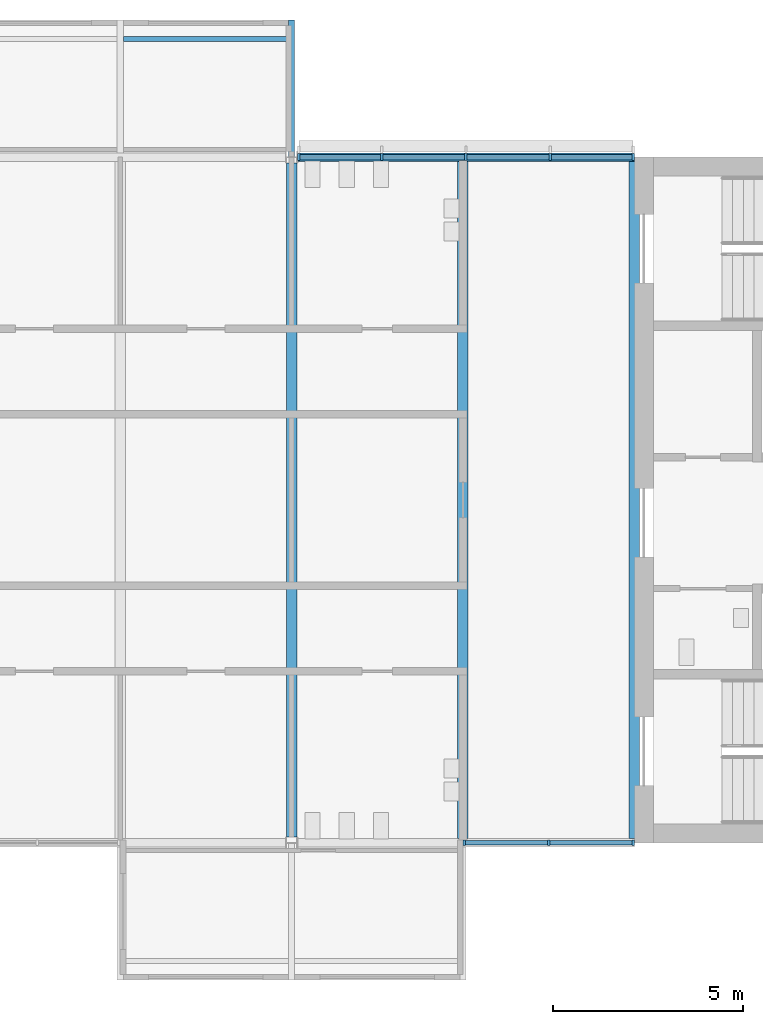
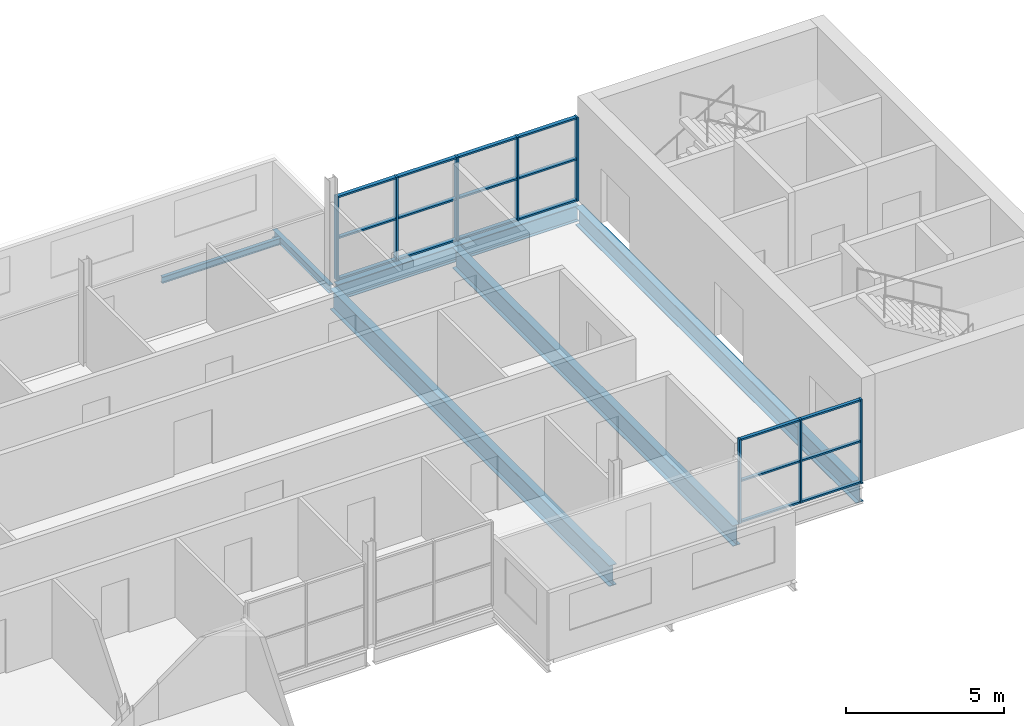
# One storey, part 3 of 10: 26 members, 6 beams, 2 elements without a shape of their own.
"""IFC4 building model written with IfcOpenShell, lengths in metres."""

from ifc_helpers import new_model, si_unit, direction, frame, origin, origin_2d, place, context, subcontext, project, spatial, rectangle, i_section, extrude, material, layer, layer_set, material_profile, profile_set, type_object, element, aggregate, save


model = new_model("IFC4")

# Units and contexts
model_context = context("Model", 3, precision=1e-05, world=origin(), true_north=direction((0.0, 1.0)))
body_context = subcontext(model_context, "Body", "Model", "MODEL_VIEW")
ifc_project = project(units=[si_unit("LENGTHUNIT", "METRE"), si_unit("AREAUNIT", "SQUARE_METRE"), si_unit("VOLUMEUNIT", "CUBIC_METRE"), si_unit("PLANEANGLEUNIT", "RADIAN"), si_unit("MASSUNIT", "GRAM", prefix="KILO")], contexts=[model_context])

# Site, building, storey
site_placement = place(None, origin())
site = spatial("IfcSite", under=ifc_project, at=site_placement, CompositionType="ELEMENT")
building_placement = place(site_placement, origin())
building = spatial("IfcBuilding", under=site, at=building_placement, Name="Corbel Yard City Hall", CompositionType="ELEMENT")
storey_placement = place(building_placement, frame((0.0, 0.0, 63.199951171875)))
storey = spatial("IfcBuildingStorey", under=building, at=storey_placement, Name="L15", CompositionType="ELEMENT", Elevation=63.199951171875)

# Beams
ifc_material_1 = material(Name="Steel Grade 300 (300 MPa yield)", Category="steel")
ifc_material_profile_1 = material_profile(ifc_material_1, i_section(OverallWidth=0.22900390625, OverallDepth=0.612060546875, WebThickness=0.011962890625, FlangeThickness=0.01953125, at=origin_2d()), Name="610UB125")
ifc_profile_set_1 = profile_set([ifc_material_profile_1], Name="Steel Grade 300 (300 MPa yield)")
beam_type_1 = type_object("IfcBeamType", Name="Edge beam 610UB125", PredefinedType="BEAM", material=ifc_profile_set_1)
beam_1_placement = place(storey_placement, frame((36.16357421875, 117.0, -0.4560546875), z_axis=(1.0, 0.0, 0.0), x_axis=(0.0, 1.0, 0.0)))
element("IfcBeam", 1, at=beam_1_placement, inside=storey, type_object=beam_type_1, Name="Edge beam 610UB125 EB7 L15tower", PredefinedType="BEAM", context=body_context, shape_type="SweptSolid", body=[
    extrude(i_section(OverallWidth=0.22900390625, OverallDepth=0.612060546875, WebThickness=0.011962890625, FlangeThickness=0.01953125, at=origin_2d()), origin(), (0.0, 0.0, 1.0), 8.83642578125),
])
ifc_material_2 = material(Name="Steel Grade 350", Category="steel")
ifc_material_profile_2 = material_profile(ifc_material_2, i_section(OverallWidth=0.27490234375, OverallDepth=0.800048828125, WebThickness=0.010009765625, FlangeThickness=0.02001953125, at=origin_2d()), Name="800WB146")
ifc_profile_set_2 = profile_set([ifc_material_profile_2], Name="Steel Grade 350")
beam_type_2 = type_object("IfcBeamType", Name="Long-span beam 800WB146", PredefinedType="BEAM", material=ifc_profile_set_2)
beam_2_placement = place(storey_placement, frame((36.0, 99.155517578125, -0.550048828125), z_axis=(0.0, 1.0, 0.0), x_axis=(-1.0, 0.0, 0.0)))
element("IfcBeam", 2, at=beam_2_placement, inside=storey, type_object=beam_type_2, Name="Long-span beam 800WB146 SB8 L15tower", PredefinedType="BEAM", context=body_context, shape_type="SweptSolid", body=[
    extrude(i_section(OverallWidth=0.27490234375, OverallDepth=0.800048828125, WebThickness=0.010009765625, FlangeThickness=0.02001953125, at=origin_2d()), origin(), (0.0, 0.0, 1.0), 17.68896484375),
])
ifc_material_profile_3 = material_profile(ifc_material_2, i_section(OverallWidth=0.27490234375, OverallDepth=0.716064453125, WebThickness=0.010009765625, FlangeThickness=0.028076171875, at=origin_2d()), Name="700WB173")
ifc_profile_set_3 = profile_set([ifc_material_profile_3], Name="Steel Grade 350")
beam_type_3 = type_object("IfcBeamType", Name="Long-span edge beam 700WB173", PredefinedType="BEAM", material=ifc_profile_set_3)
beam_3_placement = place(storey_placement, frame((45.0, 99.114501953125, -0.508056640625), z_axis=(0.0, 1.0, 0.0), x_axis=(-1.0, 0.0, 0.0)))
element("IfcBeam", 3, at=beam_3_placement, inside=storey, type_object=beam_type_3, Name="Long-span edge beam 700WB173 EB10 L15tower", PredefinedType="BEAM", context=body_context, shape_type="SweptSolid", body=[
    extrude(i_section(OverallWidth=0.27490234375, OverallDepth=0.716064453125, WebThickness=0.010009765625, FlangeThickness=0.028076171875, at=origin_2d()), origin(), (0.0, 0.0, 1.0), 17.77099609375),
])
ifc_material_profile_4 = material_profile(ifc_material_2, i_section(OverallWidth=0.27490234375, OverallDepth=0.800048828125, WebThickness=0.010009765625, FlangeThickness=0.02001953125, at=origin_2d()), Name="800WB146")
ifc_profile_set_4 = profile_set([ifc_material_profile_4], Name="Steel Grade 350")
beam_type_4 = type_object("IfcBeamType", Name="Long-span secondary beam 800WB146", PredefinedType="JOIST", material=ifc_profile_set_4)
beam_4_placement = place(storey_placement, frame((40.5, 99.114501953125, -0.550048828125), z_axis=(0.0, 1.0, 0.0), x_axis=(-1.0, 0.0, 0.0)))
element("IfcBeam", 4, at=beam_4_placement, inside=storey, type_object=beam_type_4, Name="Long-span secondary beam 800WB146 SB7 L15tower", PredefinedType="JOIST", context=body_context, shape_type="SweptSolid", body=[
    extrude(i_section(OverallWidth=0.27490234375, OverallDepth=0.800048828125, WebThickness=0.010009765625, FlangeThickness=0.02001953125, at=origin_2d()), origin(), (0.0, 0.0, 1.0), 17.77099609375),
])

# Curtain wall, members
ifc_material_3 = material(Name="Aluminium extrusion", Category="aluminium")
ifc_layer_1 = layer(ifc_material_3, 0.14990234375)
ifc_layer_set_1 = layer_set([ifc_layer_1], Name="Aluminium extrusion")
curtain_wall_type_1 = type_object("IfcCurtainWallType", Name="CW2", PredefinedType="USERDEFINED", material=ifc_layer_set_1)
curtain_wall_1_placement = place(storey_placement, origin())
curtain_wall_1 = element("IfcCurtainWall", 5, at=curtain_wall_1_placement, inside=storey, type_object=curtain_wall_type_1, Name="Curtain wall CW2 L15", ObjectType="CURTAIN WALL", PredefinedType="USERDEFINED")
ifc_material_profile_5 = material_profile(ifc_material_3, rectangle(XDim=0.14990234375, YDim=0.06494140625, at=origin_2d()), Name="150x65")
ifc_profile_set_5 = profile_set([ifc_material_profile_5], Name="Aluminium extrusion")
member_type_1 = type_object("IfcMemberType", Name="ML2", PredefinedType="MULLION", material=ifc_profile_set_5)
member_1_placement = place(storey_placement, frame((40.532470703125, 99.0, 0.0), z_axis=(0.0, 0.0, 1.0), x_axis=(0.0, 1.0, 0.0)))
member_1 = element("IfcMember", 6, at=member_1_placement, type_object=member_type_1, Name="CW2 mullion 1", PredefinedType="MULLION", context=body_context, shape_type="SweptSolid", body=[
    extrude(rectangle(XDim=0.14990234375, YDim=0.06494140625, at=origin_2d()), origin(), (0.0, 0.0, 1.0), 3.238037109375),
])
member_2_placement = place(storey_placement, frame((42.75, 99.0, 0.0), z_axis=(0.0, 0.0, 1.0), x_axis=(0.0, 1.0, 0.0)))
member_2 = element("IfcMember", 7, at=member_2_placement, type_object=member_type_1, Name="CW2 mullion 2", PredefinedType="MULLION", context=body_context, shape_type="SweptSolid", body=[
    extrude(rectangle(XDim=0.14990234375, YDim=0.06494140625, at=origin_2d()), origin(), (0.0, 0.0, 1.0), 3.238037109375),
])
member_3_placement = place(storey_placement, frame((44.967529296875, 99.0, 0.0), z_axis=(0.0, 0.0, 1.0), x_axis=(0.0, 1.0, 0.0)))
member_3 = element("IfcMember", 8, at=member_3_placement, type_object=member_type_1, Name="CW2 mullion 3", PredefinedType="MULLION", context=body_context, shape_type="SweptSolid", body=[
    extrude(rectangle(XDim=0.14990234375, YDim=0.06494140625, at=origin_2d()), origin(), (0.0, 0.0, 1.0), 3.238037109375),
])

ifc_layer_2 = layer(ifc_material_3, 0.179931640625)
ifc_layer_set_2 = layer_set([ifc_layer_2], Name="Aluminium extrusion")
curtain_wall_type_2 = type_object("IfcCurtainWallType", Name="CW6", PredefinedType="USERDEFINED", material=ifc_layer_set_2)
curtain_wall_2_placement = place(storey_placement, origin())
curtain_wall_2 = element("IfcCurtainWall", 9, at=curtain_wall_2_placement, inside=storey, type_object=curtain_wall_type_2, Name="Curtain wall CW6 L15", ObjectType="CURTAIN WALL", PredefinedType="USERDEFINED")
ifc_material_profile_6 = material_profile(ifc_material_3, rectangle(XDim=0.179931640625, YDim=0.06494140625, at=origin_2d()), Name="180x65")
ifc_profile_set_6 = profile_set([ifc_material_profile_6], Name="Aluminium extrusion")
member_type_2 = type_object("IfcMemberType", Name="ML6", PredefinedType="MULLION", material=ifc_profile_set_6)
member_4_placement = place(storey_placement, frame((36.18994140625, 117.0, 0.0), z_axis=(0.0, 0.0, 1.0), x_axis=(0.0, 1.0, 0.0)))
member_4 = element("IfcMember", 10, at=member_4_placement, type_object=member_type_2, Name="CW6 mullion 1", PredefinedType="MULLION", context=body_context, shape_type="SweptSolid", body=[
    extrude(rectangle(XDim=0.179931640625, YDim=0.06494140625, at=origin_2d()), origin(), (0.0, 0.0, 1.0), 3.238037109375),
])
member_5_placement = place(storey_placement, frame((38.3681640625, 117.0, 0.0), z_axis=(0.0, 0.0, 1.0), x_axis=(0.0, 1.0, 0.0)))
member_5 = element("IfcMember", 11, at=member_5_placement, type_object=member_type_2, Name="CW6 mullion 2", PredefinedType="MULLION", context=body_context, shape_type="SweptSolid", body=[
    extrude(rectangle(XDim=0.179931640625, YDim=0.06494140625, at=origin_2d()), origin(), (0.0, 0.0, 1.0), 3.238037109375),
])
member_6_placement = place(storey_placement, frame((40.578857421875, 117.0, 0.0), z_axis=(0.0, 0.0, 1.0), x_axis=(0.0, 1.0, 0.0)))
member_6 = element("IfcMember", 12, at=member_6_placement, type_object=member_type_2, Name="CW6 mullion 3", PredefinedType="MULLION", context=body_context, shape_type="SweptSolid", body=[
    extrude(rectangle(XDim=0.179931640625, YDim=0.06494140625, at=origin_2d()), origin(), (0.0, 0.0, 1.0), 3.238037109375),
])
member_7_placement = place(storey_placement, frame((42.789306640625, 117.0, 0.0), z_axis=(0.0, 0.0, 1.0), x_axis=(0.0, 1.0, 0.0)))
member_7 = element("IfcMember", 13, at=member_7_placement, type_object=member_type_2, Name="CW6 mullion 4", PredefinedType="MULLION", context=body_context, shape_type="SweptSolid", body=[
    extrude(rectangle(XDim=0.179931640625, YDim=0.06494140625, at=origin_2d()), origin(), (0.0, 0.0, 1.0), 3.238037109375),
])
member_8_placement = place(storey_placement, frame((44.967529296875, 117.0, 0.0), z_axis=(0.0, 0.0, 1.0), x_axis=(0.0, 1.0, 0.0)))
member_8 = element("IfcMember", 14, at=member_8_placement, type_object=member_type_2, Name="CW6 mullion 5", PredefinedType="MULLION", context=body_context, shape_type="SweptSolid", body=[
    extrude(rectangle(XDim=0.179931640625, YDim=0.06494140625, at=origin_2d()), origin(), (0.0, 0.0, 1.0), 3.238037109375),
])

# Beams
ifc_material_profile_7 = material_profile(ifc_material_1, i_section(OverallWidth=0.166015625, OverallDepth=0.306884765625, WebThickness=0.006591796875, FlangeThickness=0.01171875, at=origin_2d()), Name="310UB46.2")
ifc_profile_set_7 = profile_set([ifc_material_profile_7], Name="Steel Grade 300 (300 MPa yield)")
beam_type_5 = type_object("IfcBeamType", Name="Pod stub beam 310UB46.2", PredefinedType="BEAM", material=ifc_profile_set_7)
beam_5_placement = place(storey_placement, frame((36.0, 117.005859375, -0.303466796875), z_axis=(0.0, 1.0, 0.0), x_axis=(-1.0, 0.0, 0.0)))
element("IfcBeam", 15, at=beam_5_placement, inside=storey, type_object=beam_type_5, Name="Pod stub 310UB46.2 CB1 L15", PredefinedType="BEAM", context=body_context, shape_type="SweptSolid", body=[
    extrude(i_section(OverallWidth=0.166015625, OverallDepth=0.306884765625, WebThickness=0.006591796875, FlangeThickness=0.01171875, at=origin_2d()), origin(), (0.0, 0.0, 1.0), 3.59423828125),
])
ifc_material_profile_8 = material_profile(ifc_material_1, i_section(OverallWidth=0.1240234375, OverallDepth=0.248046875, WebThickness=0.0048828125, FlangeThickness=0.008056640625, at=origin_2d()), Name="250UB25.7")
ifc_profile_set_8 = profile_set([ifc_material_profile_8], Name="Steel Grade 300 (300 MPa yield)")
beam_type_6 = type_object("IfcBeamType", Name="Pod tip beam", PredefinedType="BEAM", material=ifc_profile_set_8)
beam_6_placement = place(storey_placement, frame((31.5830078125, 120.10009765625, -0.27392578125), z_axis=(1.0, 0.0, 0.0), x_axis=(0.0, 1.0, 0.0)))
element("IfcBeam", 16, at=beam_6_placement, inside=storey, type_object=beam_type_6, Name="Pod tip beam", PredefinedType="BEAM", context=body_context, shape_type="SweptSolid", body=[
    extrude(i_section(OverallWidth=0.1240234375, OverallDepth=0.248046875, WebThickness=0.0048828125, FlangeThickness=0.008056640625, at=origin_2d()), origin(), (0.0, 0.0, 1.0), 4.333984375),
])

# Member
ifc_material_profile_9 = material_profile(ifc_material_3, rectangle(XDim=0.1201171875, YDim=0.06494140625, at=origin_2d()), Name="120x65")
ifc_profile_set_9 = profile_set([ifc_material_profile_9], Name="Aluminium extrusion")
member_type_3 = type_object("IfcMemberType", Name="TR2", PredefinedType="USERDEFINED", material=ifc_profile_set_9)
member_9_placement = place(storey_placement, frame((40.56494140625, 99.0, 0.032470703125), z_axis=(1.0, 0.0, 0.0), x_axis=(0.0, 1.0, 0.0)))
member_9 = element("IfcMember", 17, at=member_9_placement, type_object=member_type_3, Name="CW2 transom 1.1", ObjectType="TRANSOM", PredefinedType="USERDEFINED", context=body_context, shape_type="SweptSolid", body=[
    extrude(rectangle(XDim=0.1201171875, YDim=0.06494140625, at=origin_2d()), origin(), (0.0, 0.0, 1.0), 2.152587890625),
])

member_10_placement = place(storey_placement, frame((40.56494140625, 99.0, 1.619140625), z_axis=(1.0, 0.0, 0.0), x_axis=(0.0, 1.0, 0.0)))
member_10 = element("IfcMember", 18, at=member_10_placement, type_object=member_type_3, Name="CW2 transom 1.2", ObjectType="TRANSOM", PredefinedType="USERDEFINED", context=body_context, shape_type="SweptSolid", body=[
    extrude(rectangle(XDim=0.1201171875, YDim=0.06494140625, at=origin_2d()), origin(), (0.0, 0.0, 1.0), 2.152587890625),
])

member_11_placement = place(storey_placement, frame((40.56494140625, 99.0, 3.20556640625), z_axis=(1.0, 0.0, 0.0), x_axis=(0.0, 1.0, 0.0)))
member_11 = element("IfcMember", 19, at=member_11_placement, type_object=member_type_3, Name="CW2 transom 1.3", ObjectType="TRANSOM", PredefinedType="USERDEFINED", context=body_context, shape_type="SweptSolid", body=[
    extrude(rectangle(XDim=0.1201171875, YDim=0.06494140625, at=origin_2d()), origin(), (0.0, 0.0, 1.0), 2.152587890625),
])

member_12_placement = place(storey_placement, frame((42.782470703125, 99.0, 0.032470703125), z_axis=(1.0, 0.0, 0.0), x_axis=(0.0, 1.0, 0.0)))
member_12 = element("IfcMember", 20, at=member_12_placement, type_object=member_type_3, Name="CW2 transom 2.1", ObjectType="TRANSOM", PredefinedType="USERDEFINED", context=body_context, shape_type="SweptSolid", body=[
    extrude(rectangle(XDim=0.1201171875, YDim=0.06494140625, at=origin_2d()), origin(), (0.0, 0.0, 1.0), 2.152587890625),
])

member_13_placement = place(storey_placement, frame((42.782470703125, 99.0, 1.619140625), z_axis=(1.0, 0.0, 0.0), x_axis=(0.0, 1.0, 0.0)))
member_13 = element("IfcMember", 21, at=member_13_placement, type_object=member_type_3, Name="CW2 transom 2.2", ObjectType="TRANSOM", PredefinedType="USERDEFINED", context=body_context, shape_type="SweptSolid", body=[
    extrude(rectangle(XDim=0.1201171875, YDim=0.06494140625, at=origin_2d()), origin(), (0.0, 0.0, 1.0), 2.152587890625),
])

member_14_placement = place(storey_placement, frame((42.782470703125, 99.0, 3.20556640625), z_axis=(1.0, 0.0, 0.0), x_axis=(0.0, 1.0, 0.0)))
member_14 = element("IfcMember", 22, at=member_14_placement, type_object=member_type_3, Name="CW2 transom 2.3", ObjectType="TRANSOM", PredefinedType="USERDEFINED", context=body_context, shape_type="SweptSolid", body=[
    extrude(rectangle(XDim=0.1201171875, YDim=0.06494140625, at=origin_2d()), origin(), (0.0, 0.0, 1.0), 2.152587890625),
])

aggregate(curtain_wall_1, [member_1, member_2, member_3, member_9, member_10, member_11, member_12, member_13, member_14])

ifc_material_profile_10 = material_profile(ifc_material_3, rectangle(XDim=0.139892578125, YDim=0.06494140625, at=origin_2d()), Name="140x65")
ifc_profile_set_10 = profile_set([ifc_material_profile_10], Name="Aluminium extrusion")
member_type_4 = type_object("IfcMemberType", Name="TR6", PredefinedType="USERDEFINED", material=ifc_profile_set_10)
member_15_placement = place(storey_placement, frame((36.222412109375, 117.0, 0.032470703125), z_axis=(1.0, 0.0, 0.0), x_axis=(0.0, 1.0, 0.0)))
member_15 = element("IfcMember", 23, at=member_15_placement, type_object=member_type_4, Name="CW6 transom 1.1", ObjectType="TRANSOM", PredefinedType="USERDEFINED", context=body_context, shape_type="SweptSolid", body=[
    extrude(rectangle(XDim=0.139892578125, YDim=0.06494140625, at=origin_2d()), origin(), (0.0, 0.0, 1.0), 2.11328125),
])

member_16_placement = place(storey_placement, frame((36.222412109375, 117.0, 1.619140625), z_axis=(1.0, 0.0, 0.0), x_axis=(0.0, 1.0, 0.0)))
member_16 = element("IfcMember", 24, at=member_16_placement, type_object=member_type_4, Name="CW6 transom 1.2", ObjectType="TRANSOM", PredefinedType="USERDEFINED", context=body_context, shape_type="SweptSolid", body=[
    extrude(rectangle(XDim=0.139892578125, YDim=0.06494140625, at=origin_2d()), origin(), (0.0, 0.0, 1.0), 2.11328125),
])

member_17_placement = place(storey_placement, frame((36.222412109375, 117.0, 3.20556640625), z_axis=(1.0, 0.0, 0.0), x_axis=(0.0, 1.0, 0.0)))
member_17 = element("IfcMember", 25, at=member_17_placement, type_object=member_type_4, Name="CW6 transom 1.3", ObjectType="TRANSOM", PredefinedType="USERDEFINED", context=body_context, shape_type="SweptSolid", body=[
    extrude(rectangle(XDim=0.139892578125, YDim=0.06494140625, at=origin_2d()), origin(), (0.0, 0.0, 1.0), 2.11328125),
])

member_18_placement = place(storey_placement, frame((38.400634765625, 117.0, 0.032470703125), z_axis=(1.0, 0.0, 0.0), x_axis=(0.0, 1.0, 0.0)))
member_18 = element("IfcMember", 26, at=member_18_placement, type_object=member_type_4, Name="CW6 transom 2.1", ObjectType="TRANSOM", PredefinedType="USERDEFINED", context=body_context, shape_type="SweptSolid", body=[
    extrude(rectangle(XDim=0.139892578125, YDim=0.06494140625, at=origin_2d()), origin(), (0.0, 0.0, 1.0), 2.1455078125),
])

member_19_placement = place(storey_placement, frame((38.400634765625, 117.0, 1.619140625), z_axis=(1.0, 0.0, 0.0), x_axis=(0.0, 1.0, 0.0)))
member_19 = element("IfcMember", 27, at=member_19_placement, type_object=member_type_4, Name="CW6 transom 2.2", ObjectType="TRANSOM", PredefinedType="USERDEFINED", context=body_context, shape_type="SweptSolid", body=[
    extrude(rectangle(XDim=0.139892578125, YDim=0.06494140625, at=origin_2d()), origin(), (0.0, 0.0, 1.0), 2.1455078125),
])

member_20_placement = place(storey_placement, frame((38.400634765625, 117.0, 3.20556640625), z_axis=(1.0, 0.0, 0.0), x_axis=(0.0, 1.0, 0.0)))
member_20 = element("IfcMember", 28, at=member_20_placement, type_object=member_type_4, Name="CW6 transom 2.3", ObjectType="TRANSOM", PredefinedType="USERDEFINED", context=body_context, shape_type="SweptSolid", body=[
    extrude(rectangle(XDim=0.139892578125, YDim=0.06494140625, at=origin_2d()), origin(), (0.0, 0.0, 1.0), 2.1455078125),
])

member_21_placement = place(storey_placement, frame((40.611328125, 117.0, 0.032470703125), z_axis=(1.0, 0.0, 0.0), x_axis=(0.0, 1.0, 0.0)))
member_21 = element("IfcMember", 29, at=member_21_placement, type_object=member_type_4, Name="CW6 transom 3.1", ObjectType="TRANSOM", PredefinedType="USERDEFINED", context=body_context, shape_type="SweptSolid", body=[
    extrude(rectangle(XDim=0.139892578125, YDim=0.06494140625, at=origin_2d()), origin(), (0.0, 0.0, 1.0), 2.1455078125),
])

member_22_placement = place(storey_placement, frame((40.611328125, 117.0, 1.619140625), z_axis=(1.0, 0.0, 0.0), x_axis=(0.0, 1.0, 0.0)))
member_22 = element("IfcMember", 30, at=member_22_placement, type_object=member_type_4, Name="CW6 transom 3.2", ObjectType="TRANSOM", PredefinedType="USERDEFINED", context=body_context, shape_type="SweptSolid", body=[
    extrude(rectangle(XDim=0.139892578125, YDim=0.06494140625, at=origin_2d()), origin(), (0.0, 0.0, 1.0), 2.1455078125),
])

member_23_placement = place(storey_placement, frame((40.611328125, 117.0, 3.20556640625), z_axis=(1.0, 0.0, 0.0), x_axis=(0.0, 1.0, 0.0)))
member_23 = element("IfcMember", 31, at=member_23_placement, type_object=member_type_4, Name="CW6 transom 3.3", ObjectType="TRANSOM", PredefinedType="USERDEFINED", context=body_context, shape_type="SweptSolid", body=[
    extrude(rectangle(XDim=0.139892578125, YDim=0.06494140625, at=origin_2d()), origin(), (0.0, 0.0, 1.0), 2.1455078125),
])

member_24_placement = place(storey_placement, frame((42.82177734375, 117.0, 0.032470703125), z_axis=(1.0, 0.0, 0.0), x_axis=(0.0, 1.0, 0.0)))
member_24 = element("IfcMember", 32, at=member_24_placement, type_object=member_type_4, Name="CW6 transom 4.1", ObjectType="TRANSOM", PredefinedType="USERDEFINED", context=body_context, shape_type="SweptSolid", body=[
    extrude(rectangle(XDim=0.139892578125, YDim=0.06494140625, at=origin_2d()), origin(), (0.0, 0.0, 1.0), 2.11328125),
])

member_25_placement = place(storey_placement, frame((42.82177734375, 117.0, 1.619140625), z_axis=(1.0, 0.0, 0.0), x_axis=(0.0, 1.0, 0.0)))
member_25 = element("IfcMember", 33, at=member_25_placement, type_object=member_type_4, Name="CW6 transom 4.2", ObjectType="TRANSOM", PredefinedType="USERDEFINED", context=body_context, shape_type="SweptSolid", body=[
    extrude(rectangle(XDim=0.139892578125, YDim=0.06494140625, at=origin_2d()), origin(), (0.0, 0.0, 1.0), 2.11328125),
])

member_26_placement = place(storey_placement, frame((42.82177734375, 117.0, 3.20556640625), z_axis=(1.0, 0.0, 0.0), x_axis=(0.0, 1.0, 0.0)))
member_26 = element("IfcMember", 34, at=member_26_placement, type_object=member_type_4, Name="CW6 transom 4.3", ObjectType="TRANSOM", PredefinedType="USERDEFINED", context=body_context, shape_type="SweptSolid", body=[
    extrude(rectangle(XDim=0.139892578125, YDim=0.06494140625, at=origin_2d()), origin(), (0.0, 0.0, 1.0), 2.11328125),
])

aggregate(curtain_wall_2, [member_4, member_5, member_6, member_7, member_8, member_15, member_16, member_17, member_18, member_19, member_20, member_21, member_22, member_23, member_24, member_25, member_26])

save(model, "model.ifc")
